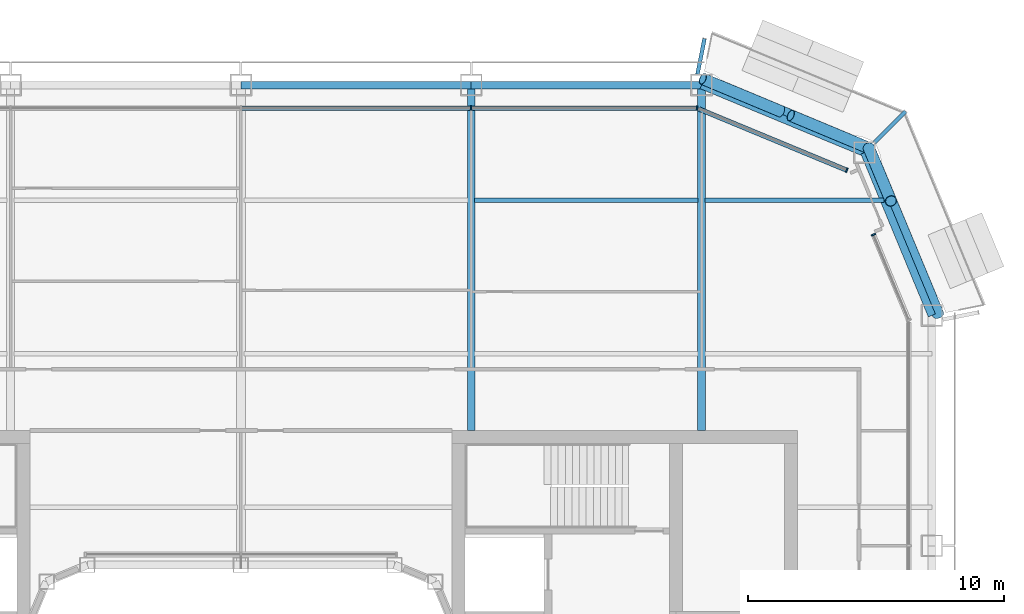
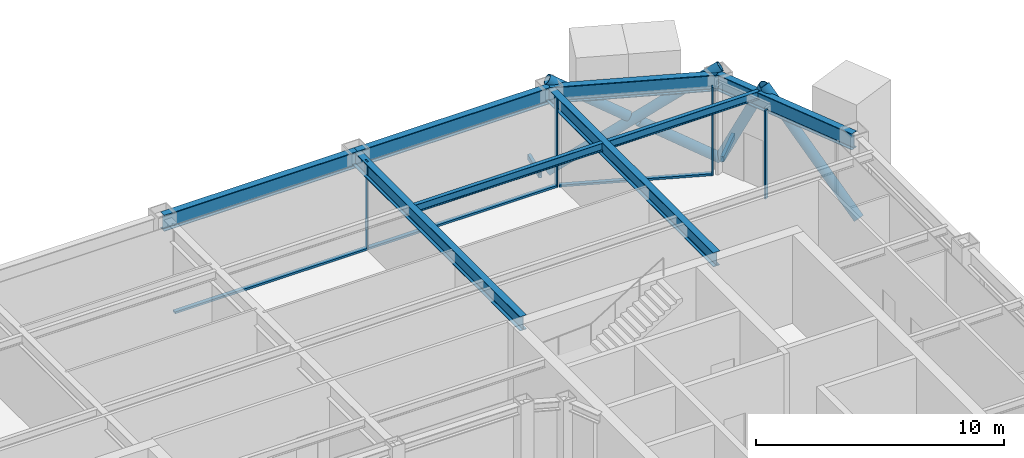
# One storey, part 10 of 23: 12 members, 10 beams, 3 elements without a shape of their own.
"""IFC4 building model written with IfcOpenShell, lengths in metres."""

import ifcopenshell
import ifcopenshell.guid

model = None  # the IFC model being written
_history = None  # IfcOwnerHistory: only IFC2X3 demands one
_inside = {}  # id of a spatial element -> (the spatial element, [elements in it])
_under = {}  # id of a project, library or spatial element -> (it, [spatial elements below it])
_declared = {}  # id of a project -> (the project, [libraries it declares])
_typed = {}  # id of a type object -> (the type object, [elements of that type])
_made_of = {}  # id of a material, layer set ... -> (it, [elements and type objects made of it])


def new_model(schema):
    """Start an empty IFC model of exactly this schema.

    Asked for "IFC4X3", IfcOpenShell would pick the latest addendum, in which some entities
    have other attributes; the version numbers below select the first issue.
    IFC2X3 requires an IfcOwnerHistory on every rooted entity: one is made here for all.
    """
    global model, _history
    if schema == "IFC4X3":
        model = ifcopenshell.file(schema_version=(4, 3, 0, 0))
    else:
        model = ifcopenshell.file(schema=schema)
    _inside.clear()
    _under.clear()
    _declared.clear()
    _typed.clear()
    _made_of.clear()
    _history = None
    if model.schema == "IFC2X3":
        org = make("IfcOrganization", Name="unknown")
        user = make(
            "IfcPersonAndOrganization",
            ThePerson=make("IfcPerson", FamilyName="unknown"),
            TheOrganization=org,
        )
        app = make(
            "IfcApplication",
            ApplicationDeveloper=org,
            Version="unknown",
            ApplicationFullName="unknown",
            ApplicationIdentifier="unknown",
        )
        _history = make(
            "IfcOwnerHistory",
            OwningUser=user,
            OwningApplication=app,
            ChangeAction="ADDED",
            CreationDate=0,
        )
    return model


def make(cls, **values):
    """One entity of the class cls with the attributes given. An attribute that is None is left unset."""
    return model.create_entity(
        cls, **{name: value for name, value in values.items() if value is not None}
    )


def rooted(cls, **values):
    """An entity with a GlobalId (a new one), such as an element, a storey or a relation."""
    return make(cls, GlobalId=ifcopenshell.guid.new(), OwnerHistory=_history, **values)


def si_unit(unit_type, name, prefix=None):
    """IfcSIUnit, for example si_unit("LENGTHUNIT", "METRE", prefix="MILLI")."""
    return make("IfcSIUnit", UnitType=unit_type, Prefix=prefix, Name=name)


def assignment(units):
    """IfcUnitAssignment: the units of a project."""
    return None if units is None else make("IfcUnitAssignment", Units=units)


def point(xyz):
    """IfcCartesianPoint."""
    return None if xyz is None else make("IfcCartesianPoint", Coordinates=xyz)


def direction(xyz):
    """IfcDirection."""
    return None if xyz is None else make("IfcDirection", DirectionRatios=xyz)


def frame(location, z_axis=None, x_axis=None):
    """IfcAxis2Placement3D, a coordinate frame: its origin and axes. An axis left out is left unset."""
    return make(
        "IfcAxis2Placement3D",
        Location=point(location),
        Axis=direction(z_axis),
        RefDirection=direction(x_axis),
    )


def frame_2d(location, x_axis=None):
    """IfcAxis2Placement2D, a coordinate frame in the plane: its origin and x axis."""
    return make(
        "IfcAxis2Placement2D", Location=point(location), RefDirection=direction(x_axis)
    )


def origin():
    """The frame at (0, 0, 0) with its axes left unset."""
    return frame((0.0, 0.0, 0.0))


def origin_2d():
    """The frame at (0, 0) in the plane with its x axis left unset."""
    return frame_2d((0.0, 0.0))


def place(relative_to, where):
    """IfcLocalPlacement: puts the frame where relative to a parent placement (None: the world)."""
    return make(
        "IfcLocalPlacement", PlacementRelTo=relative_to, RelativePlacement=where
    )


def context(
    kind, dimensions, precision=None, world=None, true_north=None, identifier=None
):
    """IfcGeometricRepresentationContext, for example the 3D "Model" context."""
    return make(
        "IfcGeometricRepresentationContext",
        ContextIdentifier=identifier,
        ContextType=kind,
        CoordinateSpaceDimension=dimensions,
        Precision=precision,
        WorldCoordinateSystem=world,
        TrueNorth=true_north,
    )


def subcontext(parent, identifier, kind, view, scale=None):
    """IfcGeometricRepresentationSubContext, for example "Body" below "Model"."""
    return make(
        "IfcGeometricRepresentationSubContext",
        ContextIdentifier=identifier,
        ContextType=kind,
        ParentContext=parent,
        TargetScale=scale,
        TargetView=view,
    )


def project(units=None, contexts=None):
    """IfcProject with its units and contexts."""
    return rooted(
        "IfcProject",
        Name="project",
        RepresentationContexts=contexts,
        UnitsInContext=assignment(units),
    )


def spatial(cls, under=None, at=None, **own):
    """A site, building, storey or space (cls), placed at a placement, below another one or the project."""
    s = rooted(cls, ObjectPlacement=at, **own)
    if under is not None:
        _under.setdefault(under.id(), (under, []))[1].append(s)
    return s


def profile(cls, at=None, kind="AREA", **sizes):
    """A parametric profile (cls). Its sizes go by their IFC names, for example OverallWidth=200.0."""
    return make(cls, ProfileType=kind, Position=at, **sizes)


def rectangle(**sizes):
    """IfcRectangleProfileDef."""
    return profile("IfcRectangleProfileDef", **sizes)


def hollow_rectangle(**sizes):
    """IfcRectangleHollowProfileDef."""
    return profile("IfcRectangleHollowProfileDef", **sizes)


def hollow_circle(**sizes):
    """IfcCircleHollowProfileDef."""
    return profile("IfcCircleHollowProfileDef", **sizes)


def i_section(**sizes):
    """IfcIShapeProfileDef."""
    return profile("IfcIShapeProfileDef", **sizes)


def extrude(swept, where, along, depth):
    """IfcExtrudedAreaSolid: the profile swept, set in the frame where, extruded along a direction by depth."""
    return make(
        "IfcExtrudedAreaSolid",
        SweptArea=swept,
        Position=where,
        ExtrudedDirection=direction(along),
        Depth=depth,
    )


def shape(context_of_items, identifier, shape_type, items):
    """IfcShapeRepresentation: the items that make up one representation, for example the "Body"."""
    return make(
        "IfcShapeRepresentation",
        ContextOfItems=context_of_items,
        RepresentationIdentifier=identifier,
        RepresentationType=shape_type,
        Items=items,
    )


def material(Name=None, Category=None):
    """IfcMaterial."""
    return make("IfcMaterial", Name=Name, Category=Category)


def layer(
    of_material, thickness, ventilated=None, Name=None, Category=None, Priority=None
):
    """IfcMaterialLayer: one layer of a wall or slab, of a material (None: an air gap)."""
    return make(
        "IfcMaterialLayer",
        Material=of_material,
        LayerThickness=thickness,
        IsVentilated=ventilated,
        Name=Name,
        Category=Category,
        Priority=Priority,
    )


def layer_set(layers, Name=None):
    """IfcMaterialLayerSet."""
    return make("IfcMaterialLayerSet", MaterialLayers=layers, LayerSetName=Name)


def material_profile(
    of_material, cross_section, Name=None, Category=None, Priority=None
):
    """IfcMaterialProfile: a cross section and its material."""
    return make(
        "IfcMaterialProfile",
        Name=Name,
        Material=of_material,
        Profile=cross_section,
        Priority=Priority,
        Category=Category,
    )


def profile_set(profiles, Name=None, composite=None):
    """IfcMaterialProfileSet."""
    return make(
        "IfcMaterialProfileSet",
        Name=Name,
        MaterialProfiles=profiles,
        CompositeProfile=composite,
    )


def made_of(thing, what):
    """Note that an element or type object is made of a material, layer set ...; save() writes the relation."""
    if what is not None:
        _made_of.setdefault(what.id(), (what, []))[1].append(thing)
    return thing


def type_object(cls, material=None, **own):
    """A type object (cls), such as IfcWallType, which elements share."""
    return made_of(rooted(cls, **own), material)


def element(
    cls,
    number,
    at=None,
    inside=None,
    cuts=None,
    type_object=None,
    material=None,
    context=None,
    identifier="Body",
    shape_type=None,
    held_by="IfcProductDefinitionShape",
    body=None,
    shapes=None,
    **own,
):
    """One element of the class cls, such as IfcWall. Its Tag is "e" and its number.

    at: its placement. inside: the storey or other place that contains it. cuts: it is an
    opening in that element (IfcRelVoidsElement). A single representation is given by context,
    identifier, shape_type and body (its items); several are given by shapes. held_by: the class
    of the entity that holds the representations. save() writes the other relations.
    """
    e = rooted(cls, Tag="e%d" % number, ObjectPlacement=at, **own)
    if body is not None:
        shapes = [shape(context, identifier, shape_type, body)]
    if shapes is not None:
        e.Representation = make(held_by, Representations=shapes)
    if inside is not None:
        _inside.setdefault(inside.id(), (inside, []))[1].append(e)
    if cuts is not None:
        rooted(
            "IfcRelVoidsElement", RelatingBuildingElement=cuts, RelatedOpeningElement=e
        )
    if type_object is not None:
        _typed.setdefault(type_object.id(), (type_object, []))[1].append(e)
    return made_of(e, material)


def aggregate(whole, parts):
    """IfcRelAggregates: a whole, such as a stair, and the parts it consists of."""
    return rooted("IfcRelAggregates", RelatingObject=whole, RelatedObjects=parts)


def save(model, path):
    """Write the relations noted so far, then the file.

    IfcRelAggregates (storeys below a building ...), IfcRelContainedInSpatialStructure (elements
    in a storey), IfcRelDefinesByType, IfcRelAssociatesMaterial and IfcRelDeclares: one each for
    every whole, place, type object, material and project.
    """
    for whole, parts in _under.values():
        aggregate(whole, parts)
    for where, things in _inside.values():
        rooted(
            "IfcRelContainedInSpatialStructure",
            RelatedElements=things,
            RelatingStructure=where,
        )
    for kind, things in _typed.values():
        rooted("IfcRelDefinesByType", RelatedObjects=things, RelatingType=kind)
    for what, things in _made_of.values():
        rooted("IfcRelAssociatesMaterial", RelatedObjects=things, RelatingMaterial=what)
    for by, libraries in _declared.values():
        rooted("IfcRelDeclares", RelatingContext=by, RelatedDefinitions=libraries)
    model.write(path)


model = new_model("IFC4")

# Units and contexts
model_context = context("Model", 3, precision=1e-05, world=origin(), true_north=direction((0.0, 1.0)))
body_context = subcontext(model_context, "Body", "Model", "MODEL_VIEW")
ifc_project = project(units=[si_unit("LENGTHUNIT", "METRE"), si_unit("AREAUNIT", "SQUARE_METRE"), si_unit("VOLUMEUNIT", "CUBIC_METRE"), si_unit("PLANEANGLEUNIT", "RADIAN"), si_unit("MASSUNIT", "GRAM", prefix="KILO")], contexts=[model_context])

# Site, building, storey
site_placement = place(None, origin())
site = spatial("IfcSite", under=ifc_project, at=site_placement, CompositionType="ELEMENT")
building_placement = place(site_placement, origin())
building = spatial("IfcBuilding", under=site, at=building_placement, Name="Siwar Civic Tower", CompositionType="ELEMENT")
storey_placement = place(building_placement, frame((0.0, 0.0, 206.199951171875)))
storey = spatial("IfcBuildingStorey", under=building, at=storey_placement, Name="L44", CompositionType="ELEMENT", Elevation=206.199951171875)

# Beams
ifc_material_1 = material(Name="Steel S355", Category="steel")
ifc_material_profile_1 = material_profile(ifc_material_1, hollow_rectangle(XDim=0.14990234375, YDim=0.25, WallThickness=0.010009765625, at=origin_2d()), Name="RHS250x150x10")
ifc_profile_set_1 = profile_set([ifc_material_profile_1], Name="Steel S355")
beam_type_1 = type_object("IfcBeamType", Name="ENV-BALCONY ARM", PredefinedType="BEAM", material=ifc_profile_set_1)
beam_1_placement = place(storey_placement, frame((24.753662109375, 24.753662109375, -0.27490234375), z_axis=(0.707106781187, 0.707106781187, 0.0), x_axis=(-0.707106781187, 0.707106781187, 0.0)))
element("IfcBeam", 1, at=beam_1_placement, inside=storey, type_object=beam_type_1, Name="Balcony cantilever beam NE 2", PredefinedType="BEAM", context=body_context, shape_type="SweptSolid", body=[
    extrude(hollow_rectangle(XDim=0.14990234375, YDim=0.25, WallThickness=0.010009765625, at=origin_2d()), origin(), (0.0, 0.0, 1.0), 1.721923828125),
])
beam_2_placement = place(storey_placement, frame((17.83984375, 27.425048828125, -0.27490234375), z_axis=(0.195122471741, 0.980778884878, 0.0), x_axis=(-0.980778884878, 0.195122471741, 0.0)))
element("IfcBeam", 2, at=beam_2_placement, inside=storey, type_object=beam_type_1, Name="Balcony cantilever beam NE 3", PredefinedType="BEAM", context=body_context, shape_type="SweptSolid", body=[
    extrude(hollow_rectangle(XDim=0.14990234375, YDim=0.25, WallThickness=0.010009765625, at=origin_2d()), origin(), (0.0, 0.0, 1.0), 1.417724609375),
])

# Curtain wall, member
ifc_material_2 = material(Name="Aluminium clad insulated panel", Category="aluminium")
ifc_layer_1 = layer(ifc_material_2, 0.179931640625)
ifc_layer_set_1 = layer_set([ifc_layer_1], Name="Aluminium clad insulated panel")
curtain_wall_type_1 = type_object("IfcCurtainWallType", Name="ENV-CW-CX", PredefinedType="NOTDEFINED", material=ifc_layer_set_1)
curtain_wall_1_placement = place(storey_placement, origin())
curtain_wall_1 = element("IfcCurtainWall", 3, at=curtain_wall_1_placement, inside=storey, type_object=curtain_wall_type_1, Name="Curtain wall C NE1", PredefinedType="NOTDEFINED")
ifc_material_3 = material(Name="Aluminium 6063-T6", Category="aluminium")
ifc_material_profile_2 = material_profile(ifc_material_3, rectangle(XDim=0.179931640625, YDim=0.06005859375, at=origin_2d()), Name="AL 180x60")
ifc_profile_set_2 = profile_set([ifc_material_profile_2], Name="Aluminium 6063-T6")
member_type_1 = type_object("IfcMemberType", Name="ENV-MULLION-C", PredefinedType="MULLION", material=ifc_profile_set_2)
member_1_placement = place(storey_placement, frame((24.719482421875, 21.153564453125, 0.0), z_axis=(0.0, 0.0, 1.0), x_axis=(-0.923879532511, -0.382683432365, 0.0)))
member_1 = element("IfcMember", 4, at=member_1_placement, type_object=member_type_1, Name="Mullion C NE1 2", PredefinedType="MULLION", context=body_context, shape_type="SweptSolid", body=[
    extrude(rectangle(XDim=0.179931640625, YDim=0.06005859375, at=origin_2d()), origin(), (0.0, 0.0, 1.0), 4.35009765625),
])
aggregate(curtain_wall_1, [member_1])

curtain_wall_2_placement = place(storey_placement, origin())
curtain_wall_2 = element("IfcCurtainWall", 5, at=curtain_wall_2_placement, inside=storey, type_object=curtain_wall_type_1, Name="Curtain wall C NE2", PredefinedType="NOTDEFINED")
member_2_placement = place(storey_placement, frame((23.675048828125, 23.675048828125, 0.0), z_axis=(0.0, 0.0, 1.0), x_axis=(-0.382683432365, -0.923879532511, 0.0)))
member_2 = element("IfcMember", 6, at=member_2_placement, type_object=member_type_1, Name="Mullion C NE2 1", PredefinedType="MULLION", context=body_context, shape_type="SweptSolid", body=[
    extrude(rectangle(XDim=0.179931640625, YDim=0.06005859375, at=origin_2d()), origin(), (0.0, 0.0, 1.0), 4.35009765625),
])

# Curtain wall, members
ifc_material_4 = material(Name="Aluminium and glass", Category="aluminium")
ifc_layer_2 = layer(ifc_material_4, 0.179931640625)
ifc_layer_set_2 = layer_set([ifc_layer_2], Name="Aluminium and glass")
curtain_wall_type_2 = type_object("IfcCurtainWallType", Name="ENV-CW-C", PredefinedType="NOTDEFINED", material=ifc_layer_set_2)
curtain_wall_3_placement = place(storey_placement, origin())
curtain_wall_3 = element("IfcCurtainWall", 7, at=curtain_wall_3_placement, inside=storey, type_object=curtain_wall_type_2, Name="Curtain wall C N", PredefinedType="NOTDEFINED")
member_3_placement = place(storey_placement, frame((17.821044921875, 26.10009765625, 0.0), z_axis=(0.0, 0.0, 1.0), x_axis=(0.0, -1.0, 0.0)))
member_3 = element("IfcMember", 8, at=member_3_placement, type_object=member_type_1, Name="Mullion C N 1", PredefinedType="MULLION", context=body_context, shape_type="SweptSolid", body=[
    extrude(rectangle(XDim=0.179931640625, YDim=0.06005859375, at=origin_2d()), origin(), (0.0, 0.0, 1.0), 4.35009765625),
])
member_4_placement = place(storey_placement, frame((9.0, 26.10009765625, 0.0), z_axis=(0.0, 0.0, 1.0), x_axis=(0.0, -1.0, 0.0)))
member_4 = element("IfcMember", 9, at=member_4_placement, type_object=member_type_1, Name="Mullion C N 2", PredefinedType="MULLION", context=body_context, shape_type="SweptSolid", body=[
    extrude(rectangle(XDim=0.179931640625, YDim=0.06005859375, at=origin_2d()), origin(), (0.0, 0.0, 1.0), 4.35009765625),
])

# Member
ifc_material_5 = material(Name="Aluminium 6063-T6", Category="aluminium")
ifc_material_profile_3 = material_profile(ifc_material_5, rectangle(XDim=0.179931640625, YDim=0.10009765625, at=origin_2d()), Name="AL 180x100")
ifc_profile_set_3 = profile_set([ifc_material_profile_3], Name="Aluminium 6063-T6")
member_type_2 = type_object("IfcMemberType", Name="ENV-TRANSOM-C", PredefinedType="USERDEFINED", material=ifc_profile_set_3)
member_5_placement = place(storey_placement, frame((23.6474609375, 23.6865234375, 0.050048828125), z_axis=(-0.923876246063, 0.382691366456, 0.0), x_axis=(-0.382691366456, -0.923876246063, 0.0)))
member_5 = element("IfcMember", 10, at=member_5_placement, type_object=member_type_2, Name="Transom C NE2 1", ObjectType="TRANSOM", PredefinedType="USERDEFINED", context=body_context, shape_type="SweptSolid", body=[
    extrude(rectangle(XDim=0.179931640625, YDim=0.10009765625, at=origin_2d()), origin(), (0.0, 0.0, 1.0), 6.20166015625),
])

aggregate(curtain_wall_2, [member_2, member_5])

member_6_placement = place(storey_placement, frame((17.791015625, 26.10009765625, 0.050048828125), z_axis=(-1.0, 0.0, 0.0), x_axis=(0.0, -1.0, 0.0)))
member_6 = element("IfcMember", 11, at=member_6_placement, type_object=member_type_2, Name="Transom C N 1", ObjectType="TRANSOM", PredefinedType="USERDEFINED", context=body_context, shape_type="SweptSolid", body=[
    extrude(rectangle(XDim=0.179931640625, YDim=0.10009765625, at=origin_2d()), origin(), (0.0, 0.0, 1.0), 8.760986328125),
])

member_7_placement = place(storey_placement, frame((8.969970703125, 26.10009765625, 0.050048828125), z_axis=(-1.0, 0.0, 0.0), x_axis=(0.0, -1.0, 0.0)))
member_7 = element("IfcMember", 12, at=member_7_placement, type_object=member_type_2, Name="Transom C N 2", ObjectType="TRANSOM", PredefinedType="USERDEFINED", context=body_context, shape_type="SweptSolid", body=[
    extrude(rectangle(XDim=0.179931640625, YDim=0.10009765625, at=origin_2d()), origin(), (0.0, 0.0, 1.0), 8.93994140625),
])

aggregate(curtain_wall_3, [member_3, member_4, member_6, member_7])

# Members
ifc_material_6 = material(Name="Steel S355", Category="steel")
ifc_material_profile_4 = material_profile(ifc_material_6, hollow_circle(Radius=0.228515625, WallThickness=0.02001953125, at=origin_2d()), Name="CHS457x20")
ifc_profile_set_4 = profile_set([ifc_material_profile_4], Name="Steel S355")
member_type_3 = type_object("IfcMemberType", Name="STR-BR-CHS457x20", PredefinedType="BRACE", material=ifc_profile_set_4)
member_8_placement = place(storey_placement, frame((18.048828125, 27.2451171875, 0.0), z_axis=(0.777554562952, -0.323905527954, 0.538975055633), x_axis=(0.384538969033, 0.923108759191, 0.0)))
element("IfcMember", 13, at=member_8_placement, inside=storey, type_object=member_type_3, Name="L44/brc/CNE1-4-0-1", PredefinedType="BRACE", context=body_context, shape_type="SweptSolid", body=[
    extrude(hollow_circle(Radius=0.228515625, WallThickness=0.02001953125, at=origin_2d()), origin(), (0.0, 0.0, 1.0), 8.34912109375),
])
for number, where, z_axis, x_axis, name in (
    (14, (24.540771484375, 24.540771484375, 0.0), (-0.777546448489, 0.323884455881, 0.538999424564), (-0.38452107079, -0.92311621485, 0.0), "L44/brc/CNE1-4-0-2"),
    (15, (21.10302734375, 25.972900390625, 2.383056640625), (-0.777572496853, 0.323895306243, 0.538955325357), (-0.38452107079, -0.92311621485, 0.0), "L44/brc/CNE1-4-0-3"),
):
    element("IfcMember", number, at=place(storey_placement, frame(where, z_axis=z_axis, x_axis=x_axis)), inside=storey, type_object=member_type_3, Name=name, PredefinedType="BRACE", context=body_context, shape_type="SweptSolid", body=[
        extrude(hollow_circle(Radius=0.228515625, WallThickness=0.02001953125, at=origin_2d()), origin(), (0.0, 0.0, 1.0), 3.927978515625),
    ])
member_9_placement = place(storey_placement, frame((27.2451171875, 18.048828125, 0.0), z_axis=(-0.280310719993, 0.672864582402, 0.684601456328), x_axis=(-0.923101041979, -0.384557494138, 0.0)))
element("IfcMember", 16, at=member_9_placement, inside=storey, type_object=member_type_3, Name="L44/brc/CNE1-4-0-0", PredefinedType="BRACE", context=body_context, shape_type="SweptSolid", body=[
    extrude(hollow_circle(Radius=0.228515625, WallThickness=0.02001953125, at=origin_2d()), origin(), (0.0, 0.0, 1.0), 6.5732421875),
])
member_10_placement = place(storey_placement, frame((24.540771484375, 24.540771484375, 0.0), z_axis=(0.171426870802, -0.411570178484, 0.895110504993), x_axis=(0.923125254544, 0.384499368559, 0.0)))
element("IfcMember", 17, at=member_10_placement, inside=storey, type_object=member_type_3, Name="L44/brc/CNE1-4-0-6", PredefinedType="BRACE", context=body_context, shape_type="SweptSolid", body=[
    extrude(hollow_circle(Radius=0.228515625, WallThickness=0.02001953125, at=origin_2d()), origin(), (0.0, 0.0, 1.0), 5.02734375),
])

# Beams
ifc_material_7 = material(Name="Steel S355", Category="steel")
ifc_material_profile_5 = material_profile(ifc_material_7, i_section(OverallWidth=0.179931640625, OverallDepth=0.39990234375, WebThickness=0.008544921875, FlangeThickness=0.013427734375, FilletRadius=0.02099609375, at=origin_2d()), Name="IPE400")
ifc_profile_set_5 = profile_set([ifc_material_profile_5], Name="Steel S355")
beam_type_2 = type_object("IfcBeamType", Name="STR-FB-IPE400", PredefinedType="JOIST", material=ifc_profile_set_5)
beam_3_placement = place(storey_placement, frame((9.1298828125, 22.5, 4.150146484375), z_axis=(1.0, 0.0, 0.0), x_axis=(0.0, 1.0, 0.0)))
element("IfcBeam", 18, at=beam_3_placement, inside=storey, type_object=beam_type_2, Name="L44/bm/F041", PredefinedType="JOIST", context=body_context, shape_type="SweptSolid", body=[
    extrude(i_section(OverallWidth=0.179931640625, OverallDepth=0.39990234375, WebThickness=0.008544921875, FlangeThickness=0.013427734375, FilletRadius=0.02099609375, at=origin_2d()), origin(), (0.0, 0.0, 1.0), 8.740234375),
])
beam_4_placement = place(storey_placement, frame((18.1298828125, 22.5, 4.150146484375), z_axis=(1.0, 0.0, 0.0), x_axis=(0.0, 1.0, 0.0)))
element("IfcBeam", 19, at=beam_4_placement, inside=storey, type_object=beam_type_2, Name="L44/bm/F042", PredefinedType="JOIST", context=body_context, shape_type="SweptSolid", body=[
    extrude(i_section(OverallWidth=0.179931640625, OverallDepth=0.39990234375, WebThickness=0.008544921875, FlangeThickness=0.013427734375, FilletRadius=0.02099609375, at=origin_2d()), origin(), (0.0, 0.0, 1.0), 7.006103515625),
])
ifc_material_8 = material(Name="Steel S355", Category="steel")
ifc_material_profile_6 = material_profile(ifc_material_8, i_section(OverallWidth=0.300048828125, OverallDepth=0.699951171875, WebThickness=0.01708984375, FlangeThickness=0.031982421875, FilletRadius=0.027099609375, at=origin_2d()), Name="HEB700")
ifc_profile_set_6 = profile_set([ifc_material_profile_6], Name="Steel S355")
beam_type_3 = type_object("IfcBeamType", Name="STR-PG-HEB700", PredefinedType="BEAM", material=ifc_profile_set_6)
for number, where, z_axis, x_axis, name in (
    (20, (9.0, 13.5, 4.0), (0.0, 1.0, 0.0), (-1.0, 0.0, 0.0), "L44/bm/G08"),
    (21, (18.0, 13.5, 4.0), (0.0, 1.0, 0.0), (-1.0, 0.0, 0.0), "L44/bm/G10"),
):
    element("IfcBeam", number, at=place(storey_placement, frame(where, z_axis=z_axis, x_axis=x_axis)), inside=storey, type_object=beam_type_3, Name=name, PredefinedType="BEAM", context=body_context, shape_type="SweptSolid", body=[
        extrude(i_section(OverallWidth=0.300048828125, OverallDepth=0.699951171875, WebThickness=0.01708984375, FlangeThickness=0.031982421875, FilletRadius=0.027099609375, at=origin_2d()), origin(), (0.0, 0.0, 1.0), 13.5),
    ])
ifc_material_9 = material(Name="Steel S355", Category="steel")
ifc_material_profile_7 = material_profile(ifc_material_9, i_section(OverallWidth=0.300048828125, OverallDepth=0.800048828125, WebThickness=0.017578125, FlangeThickness=0.032958984375, FilletRadius=0.030029296875, at=origin_2d()), Name="HEB800")
ifc_profile_set_7 = profile_set([ifc_material_profile_7], Name="Steel S355")
beam_type_4 = type_object("IfcBeamType", Name="STR-SB-HEB800", PredefinedType="BEAM", material=ifc_profile_set_7)
for number, where, z_axis, x_axis, name in (
    (22, (27.0, 18.0, 3.949951171875), (-0.382674207535, 0.923883353507, 0.0), (-0.923883353507, -0.382674207535, 0.0), "L44/bm/SNE1-0"),
    (23, (24.364013671875, 24.364013671875, 3.949951171875), (-0.923883353507, 0.382674207535, 0.0), (-0.382674207535, -0.923883353507, 0.0), "L44/bm/SNE2-0"),
):
    element("IfcBeam", number, at=place(storey_placement, frame(where, z_axis=z_axis, x_axis=x_axis)), inside=storey, type_object=beam_type_4, Name=name, PredefinedType="BEAM", context=body_context, shape_type="SweptSolid", body=[
        extrude(i_section(OverallWidth=0.300048828125, OverallDepth=0.800048828125, WebThickness=0.017578125, FlangeThickness=0.032958984375, FilletRadius=0.030029296875, at=origin_2d()), origin(), (0.0, 0.0, 1.0), 6.888427734375),
    ])
for number, where, z_axis, x_axis, name in (
    (24, (18.0, 27.0, 3.949951171875), (-1.0, 0.0, 0.0), (0.0, -1.0, 0.0), "L44/bm/SN-0"),
    (25, (9.0, 27.0, 3.949951171875), (-1.0, 0.0, 0.0), (0.0, -1.0, 0.0), "L44/bm/SN-1"),
):
    element("IfcBeam", number, at=place(storey_placement, frame(where, z_axis=z_axis, x_axis=x_axis)), inside=storey, type_object=beam_type_4, Name=name, PredefinedType="BEAM", context=body_context, shape_type="SweptSolid", body=[
        extrude(i_section(OverallWidth=0.300048828125, OverallDepth=0.800048828125, WebThickness=0.017578125, FlangeThickness=0.032958984375, FilletRadius=0.030029296875, at=origin_2d()), origin(), (0.0, 0.0, 1.0), 9.0),
    ])

save(model, "model.ifc")
